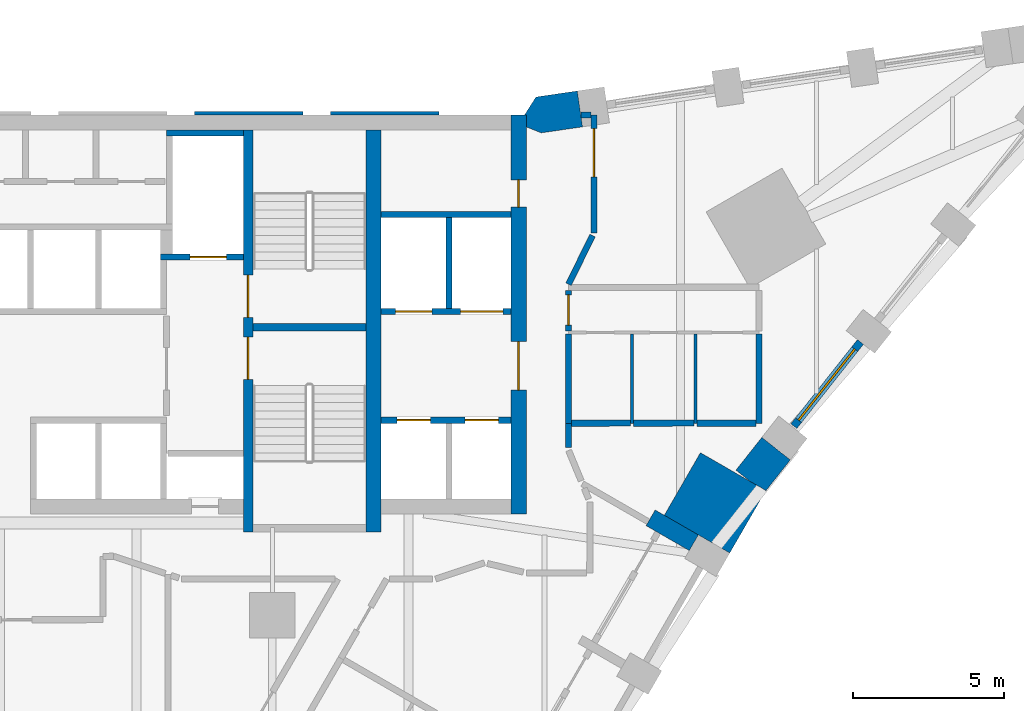
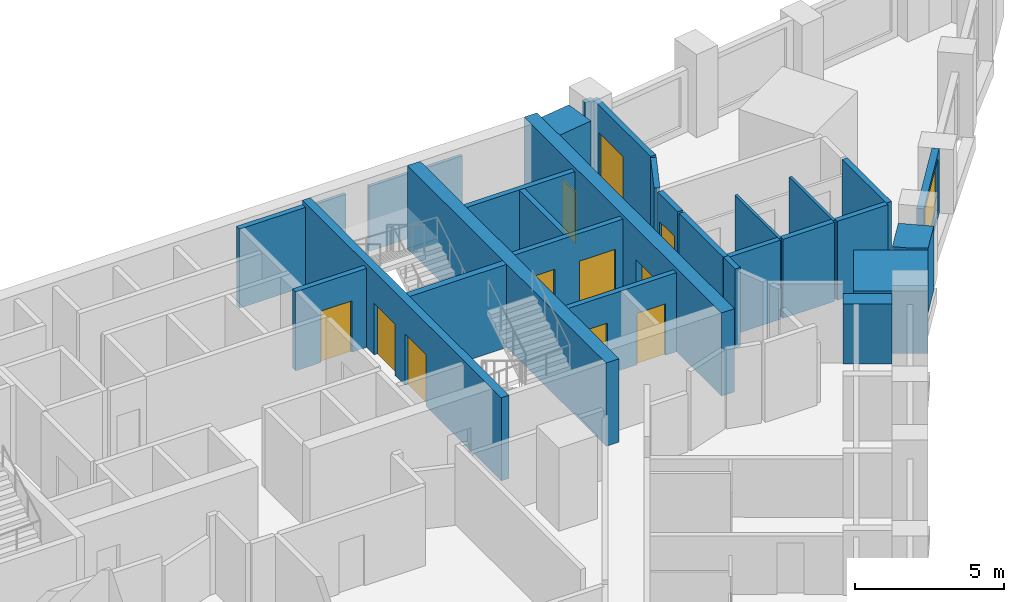
# One storey, part 8 of 11: 29 walls, 11 doors, 1 window, 12 openings.
"""IFC4 building model written with IfcOpenShell, lengths in metres."""

from ifc_helpers import new_model, si_unit, direction, frame, frame_2d, origin, place, context, subcontext, project, spatial, polyline, rectangle, outline, extrude, material, layer, layer_set, type_object, element, fill, save


model = new_model("IFC4")

# Units and contexts
model_context = context("Model", 3, precision=1e-05, world=origin(), true_north=direction((0.0, 1.0)))
body_context = subcontext(model_context, "Body", "Model", "MODEL_VIEW")
ifc_project = project(units=[si_unit("LENGTHUNIT", "METRE"), si_unit("AREAUNIT", "SQUARE_METRE"), si_unit("VOLUMEUNIT", "CUBIC_METRE"), si_unit("PLANEANGLEUNIT", "RADIAN"), si_unit("MASSUNIT", "GRAM", prefix="KILO")], contexts=[model_context])

# Site, building, storey
site_placement = place(None, origin())
site = spatial("IfcSite", under=ifc_project, at=site_placement, CompositionType="ELEMENT")
building_placement = place(site_placement, origin())
building = spatial("IfcBuilding", under=site, at=building_placement, Name="Calabash Gate Tower", CompositionType="ELEMENT")
storey_placement = place(building_placement, frame((0.0, 0.0, 112.199951171875)))
storey = spatial("IfcBuildingStorey", under=building, at=storey_placement, Name="L25", CompositionType="ELEMENT", Elevation=112.199951171875)

# Walls
ifc_material_1 = material(Name="Terracotta brick masonry, exposed face", Category="masonry")
ifc_layer_1 = layer(ifc_material_1, 2.5)
ifc_layer_set_1 = layer_set([ifc_layer_1], Name="Brick corner mass wall 2500")
wall_type_1 = type_object("IfcWallType", Name="Brick corner mass wall 2500", PredefinedType="SOLIDWALL", material=ifc_layer_set_1)
wall_1_placement = place(storey_placement, origin())
element("IfcWall", 1, at=wall_1_placement, inside=storey, type_object=wall_type_1, Name="Brick corner pier S07 2", PredefinedType="SOLIDWALL", context=body_context, shape_type="SweptSolid", body=[
    extrude(outline(polyline([(21.96630859375, 5.80859375), (23.09228515625, 5.15869140625), (23.09228515625, 5.15869140625), (24.131591796875, 4.558837890625), (25.326416015625, 6.628173828125), (23.161376953125, 7.878173828125), (21.96630859375, 5.80859375)])), origin(), (0.0, 0.0, 1.0), 2.552001953125),
])
ifc_material_2 = material(Name="Terracotta brick masonry, exposed face", Category="masonry")
ifc_layer_2 = layer(ifc_material_2, 1.199951171875)
ifc_layer_set_2 = layer_set([ifc_layer_2], Name="Brick end wall 1200")
wall_type_2 = type_object("IfcWallType", Name="Brick end wall 1200", PredefinedType="SOLIDWALL", material=ifc_layer_set_2)
wall_2_placement = place(storey_placement, origin())
element("IfcWall", 2, at=wall_2_placement, inside=storey, type_object=wall_type_2, Name="Brick end wall S07 1", PredefinedType="SOLIDWALL", context=body_context, shape_type="SweptSolid", body=[
    extrude(outline(polyline([(25.193115234375, 8.38427734375), (24.336181640625, 7.30029296875), (24.806640625, 6.92822265625), (25.326416015625, 6.628173828125), (25.304443359375, 6.59033203125), (26.134521484375, 7.639892578125), (25.193115234375, 8.38427734375)])), origin(), (0.0, 0.0, 1.0), 2.630126953125),
])
wall_3_placement = place(storey_placement, origin())
element("IfcWall", 3, at=wall_3_placement, inside=storey, type_object=wall_type_2, Name="Brick end wall S07 3", PredefinedType="SOLIDWALL", context=body_context, shape_type="SweptSolid", body=[
    extrude(outline(polyline([(17.7197265625, 19.646240234375), (17.341796875, 19.052490234375), (17.39990234375, 19.052490234375), (17.39990234375, 18.655517578125), (17.893798828125, 18.458984375), (19.2607421875, 18.6591796875), (19.0869140625, 19.8466796875), (17.7197265625, 19.646240234375)])), origin(), (0.0, 0.0, 1.0), 2.650146484375),
])
ifc_material_3 = material(Name="Terracotta brick masonry, exposed face", Category="masonry")
ifc_layer_3 = layer(ifc_material_3, 0.300048828125)
ifc_layer_set_3 = layer_set([ifc_layer_3], Name="Brick loggia cheek wall 300")
wall_type_3 = type_object("IfcWallType", Name="Brick loggia cheek wall 300", PredefinedType="SOLIDWALL", material=ifc_layer_set_3)
wall_4_placement = place(storey_placement, frame((22.942138671875, 4.89892578125, 0.0), z_axis=(0.0, 0.0, 1.0), x_axis=(-0.866003217194, 0.500038426333, 0.0)))
element("IfcWall", 4, at=wall_4_placement, inside=storey, type_object=wall_type_3, Name="Loggia cheek S07 SE2.8", PredefinedType="SOLIDWALL", context=body_context, shape_type="SweptSolid", body=[
    extrude(rectangle(XDim=1.649658203125, YDim=0.60009765625, at=frame_2d((0.82470703125, 0.0))), origin(), (0.0, 0.0, 1.0), 2.4501953125),
])
ifc_material_4 = material(Name="Concrete C80/95", Category="concrete")
ifc_layer_4 = layer(ifc_material_4, 0.25)
ifc_layer_set_4 = layer_set([ifc_layer_4], Name="Core wall 250 Concrete C80/95")
wall_type_4 = type_object("IfcWallType", Name="Core wall 250 Concrete C80/95", PredefinedType="SHEAR", material=ifc_layer_set_4)
wall_5_placement = place(storey_placement, frame((8.35009765625, 12.027587890625, 0.0), z_axis=(0.0, 0.0, 1.0), x_axis=(1.0, 0.0, 0.0)))
element("IfcWall", 5, at=wall_5_placement, inside=storey, type_object=wall_type_4, Name="Core wall Z2-MIDE L25", PredefinedType="SHEAR", context=body_context, shape_type="SweptSolid", body=[
    extrude(rectangle(XDim=3.75, YDim=0.25, at=frame_2d((1.875, 0.0))), origin(), (0.0, 0.0, 1.0), 3.400146484375),
])

# Wall, openings, doors
ifc_material_5 = material(Name="Concrete C80/95", Category="concrete")
ifc_layer_5 = layer(ifc_material_5, 0.300048828125)
ifc_layer_set_5 = layer_set([ifc_layer_5], Name="Core wall 300 Concrete C80/95")
wall_type_5 = type_object("IfcWallType", Name="Core wall 300 Concrete C80/95", PredefinedType="SHEAR", material=ifc_layer_set_5)
wall_6_placement = place(storey_placement, frame((8.199951171875, 5.252685546875, 0.0), z_axis=(0.0, 0.0, 1.0), x_axis=(0.0, 1.0, 0.0)))
wall_6 = element("IfcWall", 6, at=wall_6_placement, inside=storey, type_object=wall_type_5, Name="Core wall Z2-PARTE L25", PredefinedType="SHEAR", context=body_context, shape_type="SweptSolid", body=[
    extrude(rectangle(XDim=13.2998046875, YDim=0.300048828125, at=frame_2d((6.64990234375, 0.0))), origin(), (0.0, 0.0, 1.0), 3.400146484375),
])
opening_1_placement = place(wall_6_placement, frame((7.10009765625, 0.0, 0.0)))
opening_1 = element("IfcOpeningElement", 7, at=opening_1_placement, cuts=wall_6, Name="Opening H7-016", PredefinedType="OPENING", context=body_context, shape_type="SweptSolid", body=[
    extrude(rectangle(XDim=1.39990234375, YDim=2.10009765625, at=frame_2d((0.699951171875, 1.050048828125))), frame((0.0, 0.159912109375, 0.0), z_axis=(0.0, -1.0, 0.0), x_axis=(1.0, 0.0, 0.0)), (0.0, 0.0, 1.0), 0.320068359375),
])
opening_2_placement = place(wall_6_placement, frame((5.050048828125, 0.0, 0.0)))
opening_2 = element("IfcOpeningElement", 8, at=opening_2_placement, cuts=wall_6, Name="Opening H7-017", PredefinedType="OPENING", context=body_context, shape_type="SweptSolid", body=[
    extrude(rectangle(XDim=1.39990234375, YDim=2.10009765625, at=frame_2d((0.699951171875, 1.050048828125))), frame((0.0, 0.159912109375, 0.0), z_axis=(0.0, -1.0, 0.0), x_axis=(1.0, 0.0, 0.0)), (0.0, 0.0, 1.0), 0.320068359375),
])
ifc_material_6 = material(Name="Steel fire door set with fire-resisting glazing", Category="steel")
door_type_1 = type_object("IfcDoorType", Name="Fire door D05 1400x2100 FD90", OperationType="NOTDEFINED", PredefinedType="DOOR", material=ifc_material_6)
door_1_placement = place(opening_1_placement, origin())
door_1 = element("IfcDoor", 9, at=door_1_placement, inside=storey, type_object=door_type_1, Name="Exit stair door ST3", OperationType="SINGLE_SWING_RIGHT", OverallHeight=2.10009765625, OverallWidth=1.39990234375, PredefinedType="DOOR", context=body_context, shape_type="SweptSolid", body=[
    extrude(rectangle(XDim=1.39990234375, YDim=2.10009765625, at=frame_2d((0.699951171875, 1.050048828125))), frame((0.0, 0.02490234375, 0.0), z_axis=(0.0, -1.0, 0.0), x_axis=(1.0, 0.0, 0.0)), (0.0, 0.0, 1.0), 0.050048828125),
])
fill(opening_1, door_1)
door_2_placement = place(opening_2_placement, origin())
door_2 = element("IfcDoor", 10, at=door_2_placement, inside=storey, type_object=door_type_1, Name="Exit stair door ST4", OperationType="SINGLE_SWING_LEFT", OverallHeight=2.10009765625, OverallWidth=1.39990234375, PredefinedType="DOOR", context=body_context, shape_type="SweptSolid", body=[
    extrude(rectangle(XDim=1.39990234375, YDim=2.10009765625, at=frame_2d((0.699951171875, 1.050048828125))), frame((0.0, 0.02490234375, 0.0), z_axis=(0.0, -1.0, 0.0), x_axis=(1.0, 0.0, 0.0)), (0.0, 0.0, 1.0), 0.050048828125),
])
fill(opening_2, door_2)

# Wall
ifc_material_7 = material(Name="Concrete C80/95", Category="concrete")
ifc_layer_6 = layer(ifc_material_7, 0.5)
ifc_layer_set_6 = layer_set([ifc_layer_6], Name="Core wall 500 Concrete C80/95")
wall_type_6 = type_object("IfcWallType", Name="Core wall 500 Concrete C80/95", PredefinedType="SHEAR", material=ifc_layer_set_6)
wall_7_placement = place(storey_placement, frame((12.35009765625, 5.252685546875, 0.0), z_axis=(0.0, 0.0, 1.0), x_axis=(0.0, 1.0, 0.0)))
element("IfcWall", 11, at=wall_7_placement, inside=storey, type_object=wall_type_6, Name="Core wall Z2-COLE L25", PredefinedType="SHEAR", context=body_context, shape_type="SweptSolid", body=[
    extrude(rectangle(XDim=13.2998046875, YDim=0.5, at=frame_2d((6.64990234375, 0.0))), origin(), (0.0, 0.0, 1.0), 3.400146484375),
])

# Wall, openings, doors
wall_8_placement = place(storey_placement, frame((17.14990234375, 5.8525390625, 0.0), z_axis=(0.0, 0.0, 1.0), x_axis=(0.0, 1.0, 0.0)))
wall_8 = element("IfcWall", 12, at=wall_8_placement, inside=storey, type_object=wall_type_6, Name="Core wall Z2-ENDE L25", PredefinedType="SHEAR", context=body_context, shape_type="SweptSolid", body=[
    extrude(rectangle(XDim=13.199951171875, YDim=0.5, at=frame_2d((6.60009765625, 0.0))), origin(), (0.0, 0.0, 1.0), 3.400146484375),
])
opening_3_placement = place(wall_8_placement, frame((4.10009765625, 0.0, 0.0)))
opening_3 = element("IfcOpeningElement", 13, at=opening_3_placement, cuts=wall_8, Name="Opening H7-002", PredefinedType="OPENING", context=body_context, shape_type="SweptSolid", body=[
    extrude(rectangle(XDim=1.60009765625, YDim=2.10009765625, at=frame_2d((0.800048828125, 1.050048828125))), frame((0.0, 0.260009765625, 0.0), z_axis=(0.0, -1.0, 0.0), x_axis=(1.0, 0.0, 0.0)), (0.0, 0.0, 1.0), 0.52001953125),
])
opening_4_placement = place(wall_8_placement, frame((10.14990234375, 0.0, 0.0)))
opening_4 = element("IfcOpeningElement", 14, at=opening_4_placement, cuts=wall_8, Name="Opening H7-001", PredefinedType="OPENING", context=body_context, shape_type="SweptSolid", body=[
    extrude(rectangle(XDim=0.89990234375, YDim=2.10009765625, at=frame_2d((0.449951171875, 1.050048828125))), frame((0.0, 0.260009765625, 0.0), z_axis=(0.0, -1.0, 0.0), x_axis=(1.0, 0.0, 0.0)), (0.0, 0.0, 1.0), 0.52001953125),
])
ifc_material_8 = material(Name="Steel fire door set with fire-resisting glazing", Category="steel")
door_type_2 = type_object("IfcDoorType", Name="Double fire door D08 1600x2100 FD60", OperationType="DOUBLE_DOOR_SINGLE_SWING", PredefinedType="DOOR", material=ifc_material_8)
door_3_placement = place(opening_3_placement, origin())
door_3 = element("IfcDoor", 15, at=door_3_placement, inside=storey, type_object=door_type_2, Name="Low-rise Lift Lobby E door", OperationType="DOUBLE_DOOR_SINGLE_SWING", OverallHeight=2.10009765625, OverallWidth=1.60009765625, PredefinedType="DOOR", context=body_context, shape_type="SweptSolid", body=[
    extrude(rectangle(XDim=1.60009765625, YDim=2.10009765625, at=frame_2d((0.800048828125, 1.050048828125))), frame((0.0, 0.02490234375, 0.0), z_axis=(0.0, -1.0, 0.0), x_axis=(1.0, 0.0, 0.0)), (0.0, 0.0, 1.0), 0.050048828125),
])
fill(opening_3, door_3)
ifc_material_9 = material(Name="Steel fire door set with fire-resisting glazing", Category="steel")
door_type_3 = type_object("IfcDoorType", Name="Fire door D06 900x2100 FD60", OperationType="NOTDEFINED", PredefinedType="DOOR", material=ifc_material_9)
door_4_placement = place(opening_4_placement, origin())
door_4 = element("IfcDoor", 16, at=door_4_placement, inside=storey, type_object=door_type_3, Name="Cleaner's Store door", OperationType="SINGLE_SWING_LEFT", OverallHeight=2.10009765625, OverallWidth=0.89990234375, PredefinedType="DOOR", context=body_context, shape_type="SweptSolid", body=[
    extrude(rectangle(XDim=0.89990234375, YDim=2.10009765625, at=frame_2d((0.449951171875, 1.050048828125))), frame((0.0, 0.02490234375, 0.0), z_axis=(0.0, -1.0, 0.0), x_axis=(1.0, 0.0, 0.0)), (0.0, 0.0, 1.0), 0.050048828125),
])
fill(opening_4, door_4)

# Walls
ifc_material_10 = material(Name="Gypsum board on steel studs, mineral wool", Category="steel")
ifc_layer_7 = layer(ifc_material_10, 0.10009765625)
ifc_layer_set_7 = layer_set([ifc_layer_7], Name="Partition 100 gypsum board")
wall_type_7 = type_object("IfcWallType", Name="Partition 100 gypsum board", PredefinedType="PARTITIONING", material=ifc_layer_set_7)
for number, where, z_axis, x_axis, name in (
    (17, (20.900146484375, 8.852294921875, 0.0), (0.0, 0.0, 1.0), (0.000662525735, 0.99999978053, 0.0), "Partition"),
    (18, (23.000244140625, 8.852294921875, 0.0), (0.0, 0.0, 1.0), (0.000579710048, 0.999999831968, 0.0), "Partition"),
):
    element("IfcWall", number, at=place(storey_placement, frame(where, z_axis=z_axis, x_axis=x_axis)), inside=storey, type_object=wall_type_7, Name=name, PredefinedType="PARTITIONING", context=body_context, shape_type="SweptSolid", body=[
        extrude(rectangle(XDim=2.947998046875, YDim=0.10009765625, at=frame_2d((1.47412109375, 0.0))), origin(), (0.0, 0.0, 1.0), 3.22998046875),
    ])
ifc_material_11 = material(Name="Gypsum board on steel studs, mineral wool", Category="steel")
ifc_layer_8 = layer(ifc_material_11, 0.199951171875)
ifc_layer_set_8 = layer_set([ifc_layer_8], Name="Partition 200 gypsum board EI 60")
wall_type_8 = type_object("IfcWallType", Name="Partition 200 gypsum board EI 60", PredefinedType="PARTITIONING", material=ifc_layer_set_8)
wall_9_placement = place(storey_placement, frame((18.80078125, 8.052734375, 0.0), z_axis=(0.0, 0.0, 1.0), x_axis=(0.001527182092, 0.999998833857, 0.0)))
element("IfcWall", 19, at=wall_9_placement, inside=storey, type_object=wall_type_8, Name="Partition", PredefinedType="PARTITIONING", context=body_context, shape_type="SweptSolid", body=[
    extrude(rectangle(XDim=0.79931640625, YDim=0.199951171875, at=frame_2d((0.399658203125, 0.0))), origin(), (0.0, 0.0, 1.0), 3.22998046875),
])
wall_10_placement = place(storey_placement, frame((18.900146484375, 8.852294921875, 0.0), z_axis=(0.0, 0.0, 1.0), x_axis=(0.999999615941, 0.000876423853, 0.0)))
element("IfcWall", 20, at=wall_10_placement, inside=storey, type_object=wall_type_8, Name="Partition", PredefinedType="PARTITIONING", context=body_context, shape_type="SweptSolid", body=[
    extrude(rectangle(XDim=1.949951171875, YDim=0.199951171875, at=frame_2d((0.97509765625, 0.0))), origin(), (0.0, 0.0, 1.0), 3.22998046875),
])
wall_11_placement = place(storey_placement, frame((20.9501953125, 8.852294921875, 0.0), z_axis=(0.0, 0.0, 1.0), x_axis=(0.999999634833, 0.000854596196, 0.0)))
element("IfcWall", 21, at=wall_11_placement, inside=storey, type_object=wall_type_8, Name="Partition", PredefinedType="PARTITIONING", context=body_context, shape_type="SweptSolid", body=[
    extrude(rectangle(XDim=1.999755859375, YDim=0.199951171875, at=frame_2d((1.0, 0.0))), origin(), (0.0, 0.0, 1.0), 3.22998046875),
])
wall_12_placement = place(storey_placement, frame((23.05029296875, 8.852294921875, 0.0), z_axis=(0.0, 0.0, 1.0), x_axis=(1.0, 0.0, 0.0)))
element("IfcWall", 22, at=wall_12_placement, inside=storey, type_object=wall_type_8, Name="Partition", PredefinedType="PARTITIONING", context=body_context, shape_type="SweptSolid", body=[
    extrude(rectangle(XDim=1.94970703125, YDim=0.199951171875, at=frame_2d((0.974853515625, 0.0))), origin(), (0.0, 0.0, 1.0), 3.22998046875),
])
for number, where, z_axis, x_axis, name in (
    (23, (25.098388671875, 11.802001953125, 0.0), (0.0, 0.0, 1.0), (0.000579374179, -0.999999832163, 0.0), "Partition"),
    (24, (18.80029296875, 8.852294921875, 0.0), (0.0, 0.0, 1.0), (0.000579374179, 0.999999832163, 0.0), "Partition"),
):
    element("IfcWall", number, at=place(storey_placement, frame(where, z_axis=z_axis, x_axis=x_axis)), inside=storey, type_object=wall_type_8, Name=name, PredefinedType="PARTITIONING", context=body_context, shape_type="SweptSolid", body=[
        extrude(rectangle(XDim=2.94970703125, YDim=0.199951171875, at=frame_2d((1.474853515625, 0.0))), origin(), (0.0, 0.0, 1.0), 3.22998046875),
    ])

# Wall, opening, door
wall_13_placement = place(storey_placement, frame((18.80029296875, 11.90234375, 0.0), z_axis=(0.0, 0.0, 1.0), x_axis=(0.001267655628, 0.999999196524, 0.0)))
wall_13 = element("IfcWall", 25, at=wall_13_placement, inside=storey, type_object=wall_type_8, Name="Partition", PredefinedType="PARTITIONING", context=body_context, shape_type="SweptSolid", body=[
    extrude(rectangle(XDim=1.34814453125, YDim=0.199951171875, at=frame_2d((0.674072265625, 0.0))), origin(), (0.0, 0.0, 1.0), 3.22998046875),
])
opening_5_placement = place(wall_13_placement, frame((0.199951171875, 0.0, 0.0)))
opening_5 = element("IfcOpeningElement", 26, at=opening_5_placement, cuts=wall_13, Name="Opening 25-27-018", PredefinedType="OPENING", context=body_context, shape_type="SweptSolid", body=[
    extrude(rectangle(XDim=1.0, YDim=2.10009765625, at=frame_2d((0.5, 1.050048828125))), frame((0.0, 0.10986328125, 0.0), z_axis=(0.0, -1.0, 0.0), x_axis=(1.0, 0.0, 0.0)), (0.0, 0.0, 1.0), 0.219970703125),
])
ifc_material_12 = material(Name="Steel fire door set with fire-resisting glazing", Category="steel")
door_type_4 = type_object("IfcDoorType", Name="WD3 WC lobby door 1000x2100", OperationType="NOTDEFINED", PredefinedType="DOOR", material=ifc_material_12)
door_5_placement = place(opening_5_placement, origin())
door_5 = element("IfcDoor", 27, at=door_5_placement, inside=storey, type_object=door_type_4, Name="WC lobby door", OperationType="SINGLE_SWING_LEFT", OverallHeight=2.10009765625, OverallWidth=1.0, PredefinedType="DOOR", context=body_context, shape_type="SweptSolid", body=[
    extrude(rectangle(XDim=1.0, YDim=2.10009765625, at=frame_2d((0.5, 1.050048828125))), frame((0.0, 0.02490234375, 0.0), z_axis=(0.0, -1.0, 0.0), x_axis=(1.0, 0.0, 0.0)), (0.0, 0.0, 1.0), 0.050048828125),
])
fill(opening_5, door_5)

# Wall
wall_14_placement = place(storey_placement, frame((18.800537109375, 13.452392578125, 0.0), z_axis=(0.0, 0.0, 1.0), x_axis=(0.440230384159, 0.897884852786, 0.0)))
element("IfcWall", 28, at=wall_14_placement, inside=storey, type_object=wall_type_8, Name="Partition", PredefinedType="PARTITIONING", context=body_context, shape_type="SweptSolid", body=[
    extrude(rectangle(XDim=1.79345703125, YDim=0.199951171875, at=frame_2d((0.896728515625, 0.0))), origin(), (0.0, 0.0, 1.0), 3.22998046875),
])

# Wall, opening, door
wall_15_placement = place(storey_placement, frame((19.634033203125, 15.152587890625, 0.0), z_axis=(0.0, 0.0, 1.0), x_axis=(0.0, 1.0, 0.0)))
wall_15 = element("IfcWall", 29, at=wall_15_placement, inside=storey, type_object=wall_type_8, Name="Partition", PredefinedType="PARTITIONING", context=body_context, shape_type="SweptSolid", body=[
    extrude(rectangle(XDim=3.89990234375, YDim=0.199951171875, at=frame_2d((1.949951171875, 0.0))), origin(), (0.0, 0.0, 1.0), 3.22998046875),
])
opening_6_placement = place(wall_15_placement, frame((1.85009765625, 0.0, 0.0)))
opening_6 = element("IfcOpeningElement", 30, at=opening_6_placement, cuts=wall_15, Name="Opening 25-27-024", PredefinedType="OPENING", context=body_context, shape_type="SweptSolid", body=[
    extrude(rectangle(XDim=1.60009765625, YDim=2.10009765625, at=frame_2d((0.800048828125, 1.050048828125))), frame((0.0, 0.10986328125, 0.0), z_axis=(0.0, -1.0, 0.0), x_axis=(1.0, 0.0, 0.0)), (0.0, 0.0, 1.0), 0.219970703125),
])
ifc_material_13 = material(Name="Steel fire door set with fire-resisting glazing", Category="steel")
door_type_5 = type_object("IfcDoorType", Name="LD1 Lounge double door 1600x2100", OperationType="NOTDEFINED", PredefinedType="DOOR", material=ifc_material_13)
door_6_placement = place(opening_6_placement, origin())
door_6 = element("IfcDoor", 31, at=door_6_placement, inside=storey, type_object=door_type_5, Name="Lounge double door", OperationType="DOUBLE_DOOR_SINGLE_SWING", OverallHeight=2.10009765625, OverallWidth=1.60009765625, PredefinedType="DOOR", context=body_context, shape_type="SweptSolid", body=[
    extrude(rectangle(XDim=1.60009765625, YDim=2.10009765625, at=frame_2d((0.800048828125, 1.050048828125))), frame((0.0, 0.02490234375, 0.0), z_axis=(0.0, -1.0, 0.0), x_axis=(1.0, 0.0, 0.0)), (0.0, 0.0, 1.0), 0.050048828125),
])
fill(opening_6, door_6)

# Wall
wall_16_placement = place(storey_placement, frame((19.203125, 19.052734375, 0.0), z_axis=(0.0, 0.0, 1.0), x_axis=(0.999999728074, -0.000737462926, 0.0)))
element("IfcWall", 32, at=wall_16_placement, inside=storey, type_object=wall_type_8, Name="Partition", PredefinedType="PARTITIONING", context=body_context, shape_type="SweptSolid", body=[
    extrude(rectangle(XDim=0.3310546875, YDim=0.199951171875, at=frame_2d((0.16552734375, 0.0))), origin(), (0.0, 0.0, 1.0), 3.22998046875),
])

# Wall, opening, window
ifc_material_14 = material(Name="Aluminium framed window wall with insulated spandrel", Category="aluminium")
ifc_layer_9 = layer(ifc_material_14, 0.25)
ifc_layer_set_9 = layer_set([ifc_layer_9], Name="Prow window wall 250")
wall_type_9 = type_object("IfcWallType", Name="Prow window wall 250", PredefinedType="ELEMENTEDWALL", material=ifc_layer_set_9)
wall_17_placement = place(storey_placement, frame((26.253173828125, 8.757080078125, 0.0), z_axis=(0.0, 0.0, 1.0), x_axis=(0.620259189042, 0.784396926568, 0.0)))
wall_17 = element("IfcWall", 33, at=wall_17_placement, inside=storey, type_object=wall_type_9, Name="Prow window wall S07 wedge3.1", PredefinedType="ELEMENTEDWALL", context=body_context, shape_type="SweptSolid", body=[
    extrude(rectangle(XDim=3.552001953125, YDim=0.25, at=frame_2d((1.77587890625, 0.0))), origin(), (0.0, 0.0, 1.0), 2.630126953125),
])
opening_7_placement = place(wall_17_placement, frame((0.25, 0.0, 0.300048828125)))
opening_7 = element("IfcOpeningElement", 34, at=opening_7_placement, cuts=wall_17, Name="Opening WP1L-2130", PredefinedType="OPENING", context=body_context, shape_type="SweptSolid", body=[
    extrude(rectangle(XDim=3.0, YDim=2.1298828125, at=frame_2d((1.5, 1.06494140625))), frame((0.0, 0.135009765625, 0.0), z_axis=(0.0, -1.0, 0.0), x_axis=(1.0, 0.0, 0.0)), (0.0, 0.0, 1.0), 0.27001953125),
])
ifc_material_15 = material(Name="Anodised aluminium frame, bronze finish, impact-rated laminated clear glazing", Category="aluminium")
window_type = type_object("IfcWindowType", Name="Window WP1L 3000x2130", PartitioningType="DOUBLE_PANEL_VERTICAL", PredefinedType="WINDOW", material=ifc_material_15)
window_placement = place(opening_7_placement, origin())
window = element("IfcWindow", 35, at=window_placement, inside=storey, type_object=window_type, Name="Prow window WP1L S07 wedge3.1", OverallHeight=2.1298828125, OverallWidth=3.0, PartitioningType="SINGLE_PANEL", PredefinedType="WINDOW", context=body_context, shape_type="SweptSolid", body=[
    extrude(rectangle(XDim=3.0, YDim=2.1298828125, at=frame_2d((1.5, 1.06494140625))), frame((0.0, 0.030029296875, 0.0), z_axis=(0.0, -1.0, 0.0), x_axis=(1.0, 0.0, 0.0)), (0.0, 0.0, 1.0), 0.06005859375),
])
fill(opening_7, window)

# Wall, openings, doors
ifc_material_16 = material(Name="Concrete C40/50", Category="concrete")
ifc_layer_10 = layer(ifc_material_16, 0.199951171875)
ifc_layer_set_10 = layer_set([ifc_layer_10], Name="Shaft wall 200 Concrete C40/50")
wall_type_10 = type_object("IfcWallType", Name="Shaft wall 200 Concrete C40/50", PredefinedType="SOLIDWALL", material=ifc_layer_set_10)
wall_18_placement = place(storey_placement, frame((12.60009765625, 8.95263671875, 0.0), z_axis=(0.0, 0.0, 1.0), x_axis=(1.0, 0.0, 0.0)))
wall_18 = element("IfcWall", 36, at=wall_18_placement, inside=storey, type_object=wall_type_10, Name="Shaft wall", PredefinedType="SOLIDWALL", context=body_context, shape_type="SweptSolid", body=[
    extrude(rectangle(XDim=4.2998046875, YDim=0.199951171875, at=frame_2d((2.14990234375, 0.0))), origin(), (0.0, 0.0, 1.0), 3.22998046875),
])
opening_8_placement = place(wall_18_placement, frame((0.52490234375, 0.0, 0.0)))
opening_8 = element("IfcOpeningElement", 37, at=opening_8_placement, cuts=wall_18, Name="Opening LD-LR5", PredefinedType="OPENING", context=body_context, shape_type="SweptSolid", body=[
    extrude(rectangle(XDim=1.10009765625, YDim=2.10009765625, at=frame_2d((0.550048828125, 1.050048828125))), frame((0.0, 0.10986328125, 0.0), z_axis=(0.0, -1.0, 0.0), x_axis=(1.0, 0.0, 0.0)), (0.0, 0.0, 1.0), 0.219970703125),
])
opening_9_placement = place(wall_18_placement, frame((2.77490234375, 0.0, 0.0)))
opening_9 = element("IfcOpeningElement", 38, at=opening_9_placement, cuts=wall_18, Name="Opening LD-LR6", PredefinedType="OPENING", context=body_context, shape_type="SweptSolid", body=[
    extrude(rectangle(XDim=1.10009765625, YDim=2.10009765625, at=frame_2d((0.550048828125, 1.050048828125))), frame((0.0, 0.10986328125, 0.0), z_axis=(0.0, -1.0, 0.0), x_axis=(1.0, 0.0, 0.0)), (0.0, 0.0, 1.0), 0.219970703125),
])
ifc_material_17 = material(Name="Stainless steel sliding door leaves", Category="steel")
door_type_6 = type_object("IfcDoorType", Name="Lift landing door LS1 1100x2100 FD90", OperationType="DOUBLE_DOOR_SLIDING", PredefinedType="DOOR", material=ifc_material_17)
door_7_placement = place(opening_8_placement, origin())
door_7 = element("IfcDoor", 39, at=door_7_placement, inside=storey, type_object=door_type_6, Name="Lift landing door LR5", OperationType="DOUBLE_DOOR_SLIDING", OverallHeight=2.10009765625, OverallWidth=1.10009765625, PredefinedType="DOOR", context=body_context, shape_type="SweptSolid", body=[
    extrude(rectangle(XDim=1.10009765625, YDim=2.10009765625, at=frame_2d((0.550048828125, 1.050048828125))), frame((0.0, 0.02490234375, 0.0), z_axis=(0.0, -1.0, 0.0), x_axis=(1.0, 0.0, 0.0)), (0.0, 0.0, 1.0), 0.050048828125),
])
fill(opening_8, door_7)
door_8_placement = place(opening_9_placement, origin())
door_8 = element("IfcDoor", 40, at=door_8_placement, inside=storey, type_object=door_type_6, Name="Lift landing door LR6", OperationType="DOUBLE_DOOR_SLIDING", OverallHeight=2.10009765625, OverallWidth=1.10009765625, PredefinedType="DOOR", context=body_context, shape_type="SweptSolid", body=[
    extrude(rectangle(XDim=1.10009765625, YDim=2.10009765625, at=frame_2d((0.550048828125, 1.050048828125))), frame((0.0, 0.02490234375, 0.0), z_axis=(0.0, -1.0, 0.0), x_axis=(1.0, 0.0, 0.0)), (0.0, 0.0, 1.0), 0.050048828125),
])
fill(opening_9, door_8)

wall_19_placement = place(storey_placement, frame((12.60009765625, 12.552490234375, 0.0), z_axis=(0.0, 0.0, 1.0), x_axis=(1.0, 0.0, 0.0)))
wall_19 = element("IfcWall", 41, at=wall_19_placement, inside=storey, type_object=wall_type_10, Name="Shaft wall", PredefinedType="SOLIDWALL", context=body_context, shape_type="SweptSolid", body=[
    extrude(rectangle(XDim=4.2998046875, YDim=0.199951171875, at=frame_2d((2.14990234375, 0.0))), origin(), (0.0, 0.0, 1.0), 3.22998046875),
])
opening_10_placement = place(wall_19_placement, frame((0.47509765625, 0.0, 0.0)))
opening_10 = element("IfcOpeningElement", 42, at=opening_10_placement, cuts=wall_19, Name="Opening LD-SL1", PredefinedType="OPENING", context=body_context, shape_type="SweptSolid", body=[
    extrude(rectangle(XDim=1.199951171875, YDim=2.10009765625, at=frame_2d((0.60009765625, 1.050048828125))), frame((0.0, 0.10986328125, 0.0), z_axis=(0.0, -1.0, 0.0), x_axis=(1.0, 0.0, 0.0)), (0.0, 0.0, 1.0), 0.219970703125),
])
opening_11_placement = place(wall_19_placement, frame((2.625, 0.0, 0.0)))
opening_11 = element("IfcOpeningElement", 43, at=opening_11_placement, cuts=wall_19, Name="Opening LD-GL1", PredefinedType="OPENING", context=body_context, shape_type="SweptSolid", body=[
    extrude(rectangle(XDim=1.39990234375, YDim=2.10009765625, at=frame_2d((0.699951171875, 1.050048828125))), frame((0.0, 0.10986328125, 0.0), z_axis=(0.0, -1.0, 0.0), x_axis=(1.0, 0.0, 0.0)), (0.0, 0.0, 1.0), 0.219970703125),
])
ifc_material_18 = material(Name="Stainless steel sliding door leaves", Category="steel")
door_type_7 = type_object("IfcDoorType", Name="Lift landing door LS3 1200x2100 FD90", OperationType="DOUBLE_DOOR_SLIDING", PredefinedType="DOOR", material=ifc_material_18)
door_9_placement = place(opening_10_placement, origin())
door_9 = element("IfcDoor", 44, at=door_9_placement, inside=storey, type_object=door_type_7, Name="Lift landing door SL1", OperationType="DOUBLE_DOOR_SLIDING", OverallHeight=2.10009765625, OverallWidth=1.199951171875, PredefinedType="DOOR", context=body_context, shape_type="SweptSolid", body=[
    extrude(rectangle(XDim=1.199951171875, YDim=2.10009765625, at=frame_2d((0.60009765625, 1.050048828125))), frame((0.0, 0.02490234375, 0.0), z_axis=(0.0, -1.0, 0.0), x_axis=(1.0, 0.0, 0.0)), (0.0, 0.0, 1.0), 0.050048828125),
])
fill(opening_10, door_9)
ifc_material_19 = material(Name="Stainless steel sliding door leaves", Category="steel")
door_type_8 = type_object("IfcDoorType", Name="Lift landing door LS4 1400x2100 FD90", OperationType="DOUBLE_DOOR_SLIDING", PredefinedType="DOOR", material=ifc_material_19)
door_10_placement = place(opening_11_placement, origin())
door_10 = element("IfcDoor", 45, at=door_10_placement, inside=storey, type_object=door_type_8, Name="Lift landing door GL1", OperationType="DOUBLE_DOOR_SLIDING", OverallHeight=2.10009765625, OverallWidth=1.39990234375, PredefinedType="DOOR", context=body_context, shape_type="SweptSolid", body=[
    extrude(rectangle(XDim=1.39990234375, YDim=2.10009765625, at=frame_2d((0.699951171875, 1.050048828125))), frame((0.0, 0.02490234375, 0.0), z_axis=(0.0, -1.0, 0.0), x_axis=(1.0, 0.0, 0.0)), (0.0, 0.0, 1.0), 0.050048828125),
])
fill(opening_11, door_10)

# Wall
wall_20_placement = place(storey_placement, frame((14.85009765625, 12.652587890625, 0.0), z_axis=(0.0, 0.0, 1.0), x_axis=(0.0, 1.0, 0.0)))
element("IfcWall", 46, at=wall_20_placement, inside=storey, type_object=wall_type_10, Name="Shaft wall", PredefinedType="SOLIDWALL", context=body_context, shape_type="SweptSolid", body=[
    extrude(rectangle(XDim=3.0, YDim=0.199951171875, at=frame_2d((1.5, 0.0))), origin(), (0.0, 0.0, 1.0), 3.22998046875),
])

# Wall, opening, door
wall_21_placement = place(storey_placement, frame((5.300048828125, 14.3525390625, 0.0), z_axis=(0.0, 0.0, 1.0), x_axis=(1.0, 0.0, 0.0)))
wall_21 = element("IfcWall", 47, at=wall_21_placement, inside=storey, type_object=wall_type_10, Name="Shaft wall", PredefinedType="SOLIDWALL", context=body_context, shape_type="SweptSolid", body=[
    extrude(rectangle(XDim=2.75, YDim=0.199951171875, at=frame_2d((1.375, 0.0))), origin(), (0.0, 0.0, 1.0), 3.22998046875),
])
opening_12_placement = place(wall_21_placement, frame((0.97509765625, 0.0, 0.0)))
opening_12 = element("IfcOpeningElement", 48, at=opening_12_placement, cuts=wall_21, Name="Opening LD-FF2", PredefinedType="OPENING", context=body_context, shape_type="SweptSolid", body=[
    extrude(rectangle(XDim=1.199951171875, YDim=2.10009765625, at=frame_2d((0.60009765625, 1.050048828125))), frame((0.0, 0.10986328125, 0.0), z_axis=(0.0, -1.0, 0.0), x_axis=(1.0, 0.0, 0.0)), (0.0, 0.0, 1.0), 0.219970703125),
])
door_11_placement = place(opening_12_placement, origin())
door_11 = element("IfcDoor", 49, at=door_11_placement, inside=storey, type_object=door_type_7, Name="Lift landing door FF2", OperationType="DOUBLE_DOOR_SLIDING", OverallHeight=2.10009765625, OverallWidth=1.199951171875, PredefinedType="DOOR", context=body_context, shape_type="SweptSolid", body=[
    extrude(rectangle(XDim=1.199951171875, YDim=2.10009765625, at=frame_2d((0.60009765625, 1.050048828125))), frame((0.0, 0.02490234375, 0.0), z_axis=(0.0, -1.0, 0.0), x_axis=(1.0, 0.0, 0.0)), (0.0, 0.0, 1.0), 0.050048828125),
])
fill(opening_12, door_11)

# Walls
wall_22_placement = place(storey_placement, frame((12.60009765625, 15.752685546875, 0.0), z_axis=(0.0, 0.0, 1.0), x_axis=(1.0, 0.0, 0.0)))
element("IfcWall", 50, at=wall_22_placement, inside=storey, type_object=wall_type_10, Name="Shaft wall", PredefinedType="SOLIDWALL", context=body_context, shape_type="SweptSolid", body=[
    extrude(rectangle(XDim=4.2998046875, YDim=0.199951171875, at=frame_2d((2.14990234375, 0.0))), origin(), (0.0, 0.0, 1.0), 3.22998046875),
])
wall_23_placement = place(storey_placement, frame((5.5, 18.45263671875, 0.0), z_axis=(0.0, 0.0, 1.0), x_axis=(1.0, 0.0, 0.0)))
element("IfcWall", 51, at=wall_23_placement, inside=storey, type_object=wall_type_10, Name="Shaft wall", PredefinedType="SOLIDWALL", context=body_context, shape_type="SweptSolid", body=[
    extrude(rectangle(XDim=2.550048828125, YDim=0.199951171875, at=frame_2d((1.27490234375, 0.0))), origin(), (0.0, 0.0, 1.0), 3.22998046875),
])
ifc_material_20 = material(Name="Terracotta brick masonry, perforated", Category="masonry")
ifc_layer_11 = layer(ifc_material_20, 0.1201171875)
ifc_layer_set_11 = layer_set([ifc_layer_11], Name="Terracotta jaali cladding A 120")
wall_type_11 = type_object("IfcWallType", Name="Terracotta jaali cladding A 120", PredefinedType="SOLIDWALL", material=ifc_layer_set_11)
wall_24_placement = place(storey_placement, origin())
element("IfcWall", 52, at=wall_24_placement, inside=storey, type_object=wall_type_11, Name="Jaali cladding S07 N6.1", PredefinedType="SOLIDWALL", context=body_context, shape_type="SweptSolid", body=[
    extrude(outline(polyline([(10.9169921875, 19.172607421875), (10.9169921875, 19.052490234375), (14.51708984375, 19.052490234375), (14.51708984375, 19.172607421875), (10.9169921875, 19.172607421875)])), origin(), (0.0, 0.0, 1.0), 2.650146484375),
])
ifc_material_21 = material(Name="Terracotta louvre blades in an aluminium frame", Category="masonry")
ifc_layer_12 = layer(ifc_material_21, 0.1201171875)
ifc_layer_set_12 = layer_set([ifc_layer_12], Name="Terracotta vent louvre cladding 120")
wall_type_12 = type_object("IfcWallType", Name="Terracotta vent louvre cladding 120", PredefinedType="ELEMENTEDWALL", material=ifc_layer_set_12)
wall_25_placement = place(storey_placement, origin())
element("IfcWall", 53, at=wall_25_placement, inside=storey, type_object=wall_type_12, Name="Vent louvre cladding S07 N6.2", PredefinedType="ELEMENTEDWALL", context=body_context, shape_type="SweptSolid", body=[
    extrude(outline(polyline([(6.4169921875, 19.172607421875), (6.4169921875, 19.052490234375), (10.01708984375, 19.052490234375), (10.01708984375, 19.172607421875), (6.4169921875, 19.172607421875)])), origin(), (0.0, 0.0, 1.0), 2.650146484375),
])

save(model, "model.ifc")
